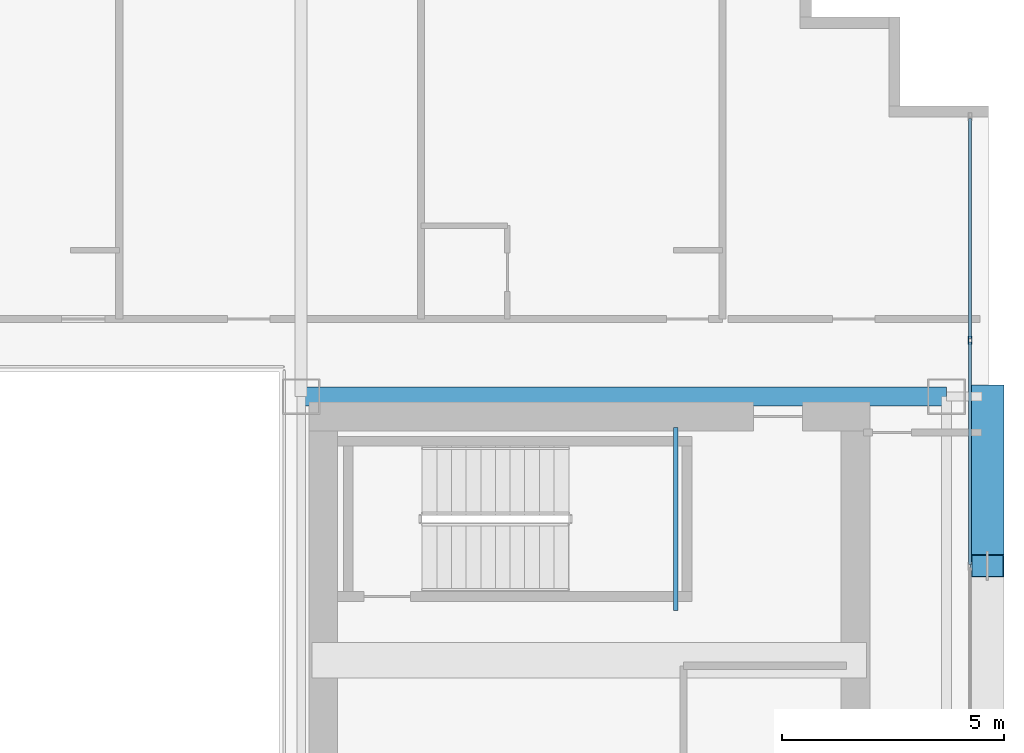
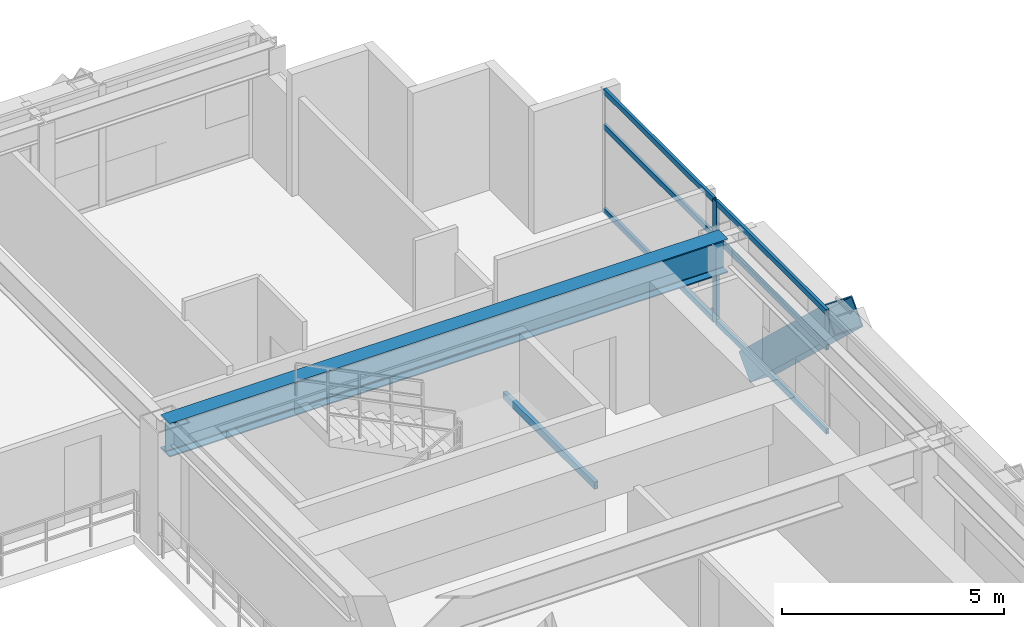
# One storey, part 20 of 34: 8 members, 2 beams, 1 element without a shape of its own.
"""IFC4 building model written with IfcOpenShell, lengths in metres."""

import ifcopenshell
import ifcopenshell.guid

model = None  # the IFC model being written
_history = None  # IfcOwnerHistory: only IFC2X3 demands one
_inside = {}  # id of a spatial element -> (the spatial element, [elements in it])
_under = {}  # id of a project, library or spatial element -> (it, [spatial elements below it])
_declared = {}  # id of a project -> (the project, [libraries it declares])
_typed = {}  # id of a type object -> (the type object, [elements of that type])
_made_of = {}  # id of a material, layer set ... -> (it, [elements and type objects made of it])


def new_model(schema):
    """Start an empty IFC model of exactly this schema.

    Asked for "IFC4X3", IfcOpenShell would pick the latest addendum, in which some entities
    have other attributes; the version numbers below select the first issue.
    IFC2X3 requires an IfcOwnerHistory on every rooted entity: one is made here for all.
    """
    global model, _history
    if schema == "IFC4X3":
        model = ifcopenshell.file(schema_version=(4, 3, 0, 0))
    else:
        model = ifcopenshell.file(schema=schema)
    _inside.clear()
    _under.clear()
    _declared.clear()
    _typed.clear()
    _made_of.clear()
    _history = None
    if model.schema == "IFC2X3":
        org = make("IfcOrganization", Name="unknown")
        user = make(
            "IfcPersonAndOrganization",
            ThePerson=make("IfcPerson", FamilyName="unknown"),
            TheOrganization=org,
        )
        app = make(
            "IfcApplication",
            ApplicationDeveloper=org,
            Version="unknown",
            ApplicationFullName="unknown",
            ApplicationIdentifier="unknown",
        )
        _history = make(
            "IfcOwnerHistory",
            OwningUser=user,
            OwningApplication=app,
            ChangeAction="ADDED",
            CreationDate=0,
        )
    return model


def make(cls, **values):
    """One entity of the class cls with the attributes given. An attribute that is None is left unset."""
    return model.create_entity(
        cls, **{name: value for name, value in values.items() if value is not None}
    )


def rooted(cls, **values):
    """An entity with a GlobalId (a new one), such as an element, a storey or a relation."""
    return make(cls, GlobalId=ifcopenshell.guid.new(), OwnerHistory=_history, **values)


def si_unit(unit_type, name, prefix=None):
    """IfcSIUnit, for example si_unit("LENGTHUNIT", "METRE", prefix="MILLI")."""
    return make("IfcSIUnit", UnitType=unit_type, Prefix=prefix, Name=name)


def assignment(units):
    """IfcUnitAssignment: the units of a project."""
    return None if units is None else make("IfcUnitAssignment", Units=units)


def point(xyz):
    """IfcCartesianPoint."""
    return None if xyz is None else make("IfcCartesianPoint", Coordinates=xyz)


def direction(xyz):
    """IfcDirection."""
    return None if xyz is None else make("IfcDirection", DirectionRatios=xyz)


def frame(location, z_axis=None, x_axis=None):
    """IfcAxis2Placement3D, a coordinate frame: its origin and axes. An axis left out is left unset."""
    return make(
        "IfcAxis2Placement3D",
        Location=point(location),
        Axis=direction(z_axis),
        RefDirection=direction(x_axis),
    )


def frame_2d(location, x_axis=None):
    """IfcAxis2Placement2D, a coordinate frame in the plane: its origin and x axis."""
    return make(
        "IfcAxis2Placement2D", Location=point(location), RefDirection=direction(x_axis)
    )


def origin():
    """The frame at (0, 0, 0) with its axes left unset."""
    return frame((0.0, 0.0, 0.0))


def origin_2d():
    """The frame at (0, 0) in the plane with its x axis left unset."""
    return frame_2d((0.0, 0.0))


def place(relative_to, where):
    """IfcLocalPlacement: puts the frame where relative to a parent placement (None: the world)."""
    return make(
        "IfcLocalPlacement", PlacementRelTo=relative_to, RelativePlacement=where
    )


def context(
    kind, dimensions, precision=None, world=None, true_north=None, identifier=None
):
    """IfcGeometricRepresentationContext, for example the 3D "Model" context."""
    return make(
        "IfcGeometricRepresentationContext",
        ContextIdentifier=identifier,
        ContextType=kind,
        CoordinateSpaceDimension=dimensions,
        Precision=precision,
        WorldCoordinateSystem=world,
        TrueNorth=true_north,
    )


def subcontext(parent, identifier, kind, view, scale=None):
    """IfcGeometricRepresentationSubContext, for example "Body" below "Model"."""
    return make(
        "IfcGeometricRepresentationSubContext",
        ContextIdentifier=identifier,
        ContextType=kind,
        ParentContext=parent,
        TargetScale=scale,
        TargetView=view,
    )


def project(units=None, contexts=None):
    """IfcProject with its units and contexts."""
    return rooted(
        "IfcProject",
        Name="project",
        RepresentationContexts=contexts,
        UnitsInContext=assignment(units),
    )


def spatial(cls, under=None, at=None, **own):
    """A site, building, storey or space (cls), placed at a placement, below another one or the project."""
    s = rooted(cls, ObjectPlacement=at, **own)
    if under is not None:
        _under.setdefault(under.id(), (under, []))[1].append(s)
    return s


def profile(cls, at=None, kind="AREA", **sizes):
    """A parametric profile (cls). Its sizes go by their IFC names, for example OverallWidth=200.0."""
    return make(cls, ProfileType=kind, Position=at, **sizes)


def hollow_rectangle(**sizes):
    """IfcRectangleHollowProfileDef."""
    return profile("IfcRectangleHollowProfileDef", **sizes)


def i_section(**sizes):
    """IfcIShapeProfileDef."""
    return profile("IfcIShapeProfileDef", **sizes)


def extrude(swept, where, along, depth):
    """IfcExtrudedAreaSolid: the profile swept, set in the frame where, extruded along a direction by depth."""
    return make(
        "IfcExtrudedAreaSolid",
        SweptArea=swept,
        Position=where,
        ExtrudedDirection=direction(along),
        Depth=depth,
    )


def shape(context_of_items, identifier, shape_type, items):
    """IfcShapeRepresentation: the items that make up one representation, for example the "Body"."""
    return make(
        "IfcShapeRepresentation",
        ContextOfItems=context_of_items,
        RepresentationIdentifier=identifier,
        RepresentationType=shape_type,
        Items=items,
    )


def source(mapping_origin, context_of_items, identifier, shape_type, items):
    """IfcRepresentationMap: a shape defined once, which mapped items show again and again."""
    return make(
        "IfcRepresentationMap",
        MappingOrigin=mapping_origin,
        MappedRepresentation=shape(context_of_items, identifier, shape_type, items),
    )


def transform(
    local_origin,
    x_axis=None,
    y_axis=None,
    z_axis=None,
    scale=None,
    scale2=None,
    scale3=None,
    uniform=True,
):
    """IfcCartesianTransformationOperator3D, or its non-uniform kind. x_axis, y_axis, z_axis: its Axis1, 2, 3."""
    if uniform:
        return make(
            "IfcCartesianTransformationOperator3D",
            Axis1=direction(x_axis),
            Axis2=direction(y_axis),
            LocalOrigin=point(local_origin),
            Scale=scale,
            Axis3=direction(z_axis),
        )
    return make(
        "IfcCartesianTransformationOperator3DnonUniform",
        Axis1=direction(x_axis),
        Axis2=direction(y_axis),
        LocalOrigin=point(local_origin),
        Scale=scale,
        Axis3=direction(z_axis),
        Scale2=scale2,
        Scale3=scale3,
    )


def mapped(mapping_source, mapping_target):
    """IfcMappedItem: shows the shape of a source again, moved by a transform."""
    return make(
        "IfcMappedItem", MappingSource=mapping_source, MappingTarget=mapping_target
    )


def material(Name=None, Category=None):
    """IfcMaterial."""
    return make("IfcMaterial", Name=Name, Category=Category)


def layer(
    of_material, thickness, ventilated=None, Name=None, Category=None, Priority=None
):
    """IfcMaterialLayer: one layer of a wall or slab, of a material (None: an air gap)."""
    return make(
        "IfcMaterialLayer",
        Material=of_material,
        LayerThickness=thickness,
        IsVentilated=ventilated,
        Name=Name,
        Category=Category,
        Priority=Priority,
    )


def layer_set(layers, Name=None):
    """IfcMaterialLayerSet."""
    return make("IfcMaterialLayerSet", MaterialLayers=layers, LayerSetName=Name)


def material_profile(
    of_material, cross_section, Name=None, Category=None, Priority=None
):
    """IfcMaterialProfile: a cross section and its material."""
    return make(
        "IfcMaterialProfile",
        Name=Name,
        Material=of_material,
        Profile=cross_section,
        Priority=Priority,
        Category=Category,
    )


def profile_set(profiles, Name=None, composite=None):
    """IfcMaterialProfileSet."""
    return make(
        "IfcMaterialProfileSet",
        Name=Name,
        MaterialProfiles=profiles,
        CompositeProfile=composite,
    )


def made_of(thing, what):
    """Note that an element or type object is made of a material, layer set ...; save() writes the relation."""
    if what is not None:
        _made_of.setdefault(what.id(), (what, []))[1].append(thing)
    return thing


def type_object(cls, material=None, **own):
    """A type object (cls), such as IfcWallType, which elements share."""
    return made_of(rooted(cls, **own), material)


def element(
    cls,
    number,
    at=None,
    inside=None,
    cuts=None,
    type_object=None,
    material=None,
    context=None,
    identifier="Body",
    shape_type=None,
    held_by="IfcProductDefinitionShape",
    body=None,
    shapes=None,
    **own,
):
    """One element of the class cls, such as IfcWall. Its Tag is "e" and its number.

    at: its placement. inside: the storey or other place that contains it. cuts: it is an
    opening in that element (IfcRelVoidsElement). A single representation is given by context,
    identifier, shape_type and body (its items); several are given by shapes. held_by: the class
    of the entity that holds the representations. save() writes the other relations.
    """
    e = rooted(cls, Tag="e%d" % number, ObjectPlacement=at, **own)
    if body is not None:
        shapes = [shape(context, identifier, shape_type, body)]
    if shapes is not None:
        e.Representation = make(held_by, Representations=shapes)
    if inside is not None:
        _inside.setdefault(inside.id(), (inside, []))[1].append(e)
    if cuts is not None:
        rooted(
            "IfcRelVoidsElement", RelatingBuildingElement=cuts, RelatedOpeningElement=e
        )
    if type_object is not None:
        _typed.setdefault(type_object.id(), (type_object, []))[1].append(e)
    return made_of(e, material)


def aggregate(whole, parts):
    """IfcRelAggregates: a whole, such as a stair, and the parts it consists of."""
    return rooted("IfcRelAggregates", RelatingObject=whole, RelatedObjects=parts)


def save(model, path):
    """Write the relations noted so far, then the file.

    IfcRelAggregates (storeys below a building ...), IfcRelContainedInSpatialStructure (elements
    in a storey), IfcRelDefinesByType, IfcRelAssociatesMaterial and IfcRelDeclares: one each for
    every whole, place, type object, material and project.
    """
    for whole, parts in _under.values():
        aggregate(whole, parts)
    for where, things in _inside.values():
        rooted(
            "IfcRelContainedInSpatialStructure",
            RelatedElements=things,
            RelatingStructure=where,
        )
    for kind, things in _typed.values():
        rooted("IfcRelDefinesByType", RelatedObjects=things, RelatingType=kind)
    for what, things in _made_of.values():
        rooted("IfcRelAssociatesMaterial", RelatedObjects=things, RelatingMaterial=what)
    for by, libraries in _declared.values():
        rooted("IfcRelDeclares", RelatingContext=by, RelatedDefinitions=libraries)
    model.write(path)


model = new_model("IFC4")

# Units and contexts
model_context = context("Model", 3, precision=1e-05, world=origin(), true_north=direction((0.0, 1.0)))
body_context = subcontext(model_context, "Body", "Model", "MODEL_VIEW")
ifc_project = project(units=[si_unit("LENGTHUNIT", "METRE"), si_unit("AREAUNIT", "SQUARE_METRE"), si_unit("VOLUMEUNIT", "CUBIC_METRE"), si_unit("PLANEANGLEUNIT", "RADIAN"), si_unit("MASSUNIT", "GRAM", prefix="KILO")], contexts=[model_context])

# Site, building, storey
site_placement = place(None, origin())
site = spatial("IfcSite", under=ifc_project, at=site_placement, CompositionType="ELEMENT")
building_placement = place(site_placement, origin())
building = spatial("IfcBuilding", under=site, at=building_placement, Name="Ocotamira Hotel", CompositionType="ELEMENT")
storey_placement = place(building_placement, frame((0.0, 0.0, 111.60009765625)))
storey = spatial("IfcBuildingStorey", under=building, at=storey_placement, Name="L27", CompositionType="ELEMENT", Elevation=111.60009765625)

# Beams
ifc_material_1 = material(Name="Steel ASTM A500 Grade C", Category="steel")
ifc_material_profile_1 = material_profile(ifc_material_1, hollow_rectangle(XDim=0.10009765625, YDim=0.199951171875, WallThickness=0.008056640625, at=origin_2d()), Name="HSS200X100X8")
ifc_profile_set_1 = profile_set([ifc_material_profile_1], Name="Steel ASTM A500 Grade C")
beam_type_1 = type_object("IfcBeamType", Name="BM-STLDG-HSS200", PredefinedType="BEAM", material=ifc_profile_set_1)
shared_shape_1 = source(origin(), body_context, "Body", "SweptSolid", [
    extrude(hollow_rectangle(XDim=0.10009765625, YDim=0.199951171875, WallThickness=0.008056640625, at=origin_2d()), origin(), (0.0, 0.0, 1.0), 4.1201171875),
])
beam_1_placement = place(storey_placement, frame((48.949951171875, 32.6298828125, 1.5), z_axis=(0.0, 1.0, 0.0), x_axis=(-1.0, 0.0, 0.0)))
element("IfcBeam", 1, at=beam_1_placement, inside=storey, type_object=beam_type_1, Name="L27 Stair ST-4 Landing Bearer 1", PredefinedType="BEAM", context=body_context, shape_type="MappedRepresentation", body=[
    mapped(shared_shape_1, transform((0.0, 0.0, 0.0), scale=1.0)),
])
ifc_material_2 = material(Name="Steel ASTM A992 Grade 50", Category="steel")
ifc_material_profile_2 = material_profile(ifc_material_2, i_section(OverallWidth=0.41796875, OverallDepth=0.927001953125, WebThickness=0.019287109375, FlangeThickness=0.031982421875, FilletRadius=0.02392578125, at=origin_2d()), Name="W36X231")
ifc_profile_set_2 = profile_set([ifc_material_profile_2], Name="Steel ASTM A992 Grade 50")
beam_type_2 = type_object("IfcBeamType", Name="BM-GIRD-W36X231", PredefinedType="BEAM", material=ifc_profile_set_2)
shared_shape_2 = source(origin(), body_context, "Body", "SweptSolid", [
    extrude(i_section(OverallWidth=0.41796875, OverallDepth=0.927001953125, WebThickness=0.019287109375, FlangeThickness=0.031982421875, FilletRadius=0.02392578125, at=origin_2d()), origin(), (0.0, 0.0, 1.0), 14.550048828125),
])
beam_2_placement = place(storey_placement, frame((40.5, 37.449951171875, 2.896484375), z_axis=(1.0, 0.0, 0.0), x_axis=(0.0, 1.0, 0.0)))
element("IfcBeam", 2, at=beam_2_placement, inside=storey, type_object=beam_type_2, Name="L27 Girder Y37.45 X40.5-55.05", PredefinedType="BEAM", context=body_context, shape_type="MappedRepresentation", body=[
    mapped(shared_shape_2, transform((0.0, 0.0, 0.0), scale=1.0)),
])

# Member
ifc_material_3 = material(Name="Pale-metal coated steel ASTM A913 Grade 65", Category="steel")
ifc_material_profile_3 = material_profile(ifc_material_3, hollow_rectangle(XDim=0.75, YDim=0.75, WallThickness=0.028076171875, at=origin_2d()), Name="BOX750X750X28")
ifc_profile_set_3 = profile_set([ifc_material_profile_3], Name="Pale-metal coated steel ASTM A913 Grade 65")
member_type_1 = type_object("IfcMemberType", Name="MEM-EXO-BOX750", PredefinedType="BRACE", material=ifc_profile_set_3)
shared_shape_3 = source(origin(), body_context, "Body", "SweptSolid", [
    extrude(hollow_rectangle(XDim=0.75, YDim=0.75, WallThickness=0.028076171875, at=origin_2d()), origin(), (0.0, 0.0, 1.0), 5.24658203125),
])
member_1_placement = place(storey_placement, frame((55.969970703125, 37.449951171875, -0.489990234375), z_axis=(0.0, -0.72746596067, 0.686143772154), x_axis=(1.0, 0.0, 0.0)))
element("IfcMember", 3, at=member_1_placement, inside=storey, type_object=member_type_1, Name="L27 Exoskeleton Diagrid E2.2", PredefinedType="BRACE", context=body_context, shape_type="MappedRepresentation", body=[
    mapped(shared_shape_3, transform((0.0, 0.0, 0.0), scale=1.0)),
])

# Curtain wall, members
ifc_material_4 = material(Name="Anodised pale-metal aluminium and solar glass", Category="aluminium")
ifc_layer = layer(ifc_material_4, 0.179931640625)
ifc_layer_set = layer_set([ifc_layer], Name="Anodised pale-metal aluminium and solar glass")
curtain_wall_type = type_object("IfcCurtainWallType", Name="CW-SYS3-Z2", PredefinedType="NOTDEFINED", material=ifc_layer_set)
curtain_wall_placement = place(storey_placement, origin())
curtain_wall = element("IfcCurtainWall", 4, at=curtain_wall_placement, inside=storey, type_object=curtain_wall_type, Name="L27 Curtain Wall CW-3 CW-L27-E", PredefinedType="NOTDEFINED")
ifc_material_5 = material(Name="Anodised pale-metal aluminium 6063-T6", Category="aluminium")
ifc_material_profile_4 = material_profile(ifc_material_5, hollow_rectangle(XDim=0.074951171875, YDim=0.14990234375, WallThickness=0.006103515625, at=origin_2d()), Name="HSS150X75X6")
ifc_profile_set_4 = profile_set([ifc_material_profile_4], Name="Anodised pale-metal aluminium 6063-T6")
member_type_2 = type_object("IfcMemberType", Name="CWT-150X75", PredefinedType="USERDEFINED", material=ifc_profile_set_4)
shared_shape_4 = source(origin(), body_context, "Body", "SweptSolid", [
    extrude(hollow_rectangle(XDim=0.074951171875, YDim=0.14990234375, WallThickness=0.006103515625, at=origin_2d()), origin(), (0.0, 0.0, 1.0), 4.965576171875),
])
member_2_placement = place(storey_placement, frame((55.580078125, 38.75439453125, 0.037353515625), z_axis=(0.0, 1.0, 0.0), x_axis=(-1.0, 0.0, 0.0)))
member_2 = element("IfcMember", 5, at=member_2_placement, type_object=member_type_2, Name="CW-3 transom 7.1", ObjectType="TRANSOM", PredefinedType="USERDEFINED", context=body_context, shape_type="MappedRepresentation", body=[
    mapped(shared_shape_4, transform((0.0, 0.0, 0.0), scale=1.0)),
])
member_3_placement = place(storey_placement, frame((55.580078125, 38.75439453125, 2.349853515625), z_axis=(0.0, 1.0, 0.0), x_axis=(-1.0, 0.0, 0.0)))
member_3 = element("IfcMember", 6, at=member_3_placement, type_object=member_type_2, Name="CW-3 transom 7.2", ObjectType="TRANSOM", PredefinedType="USERDEFINED", context=body_context, shape_type="MappedRepresentation", body=[
    mapped(shared_shape_4, transform((0.0, 0.0, 0.0), scale=1.0)),
])
member_4_placement = place(storey_placement, frame((55.580078125, 38.75439453125, 3.322509765625), z_axis=(0.0, 1.0, 0.0), x_axis=(-1.0, 0.0, 0.0)))
member_4 = element("IfcMember", 7, at=member_4_placement, type_object=member_type_2, Name="CW-3 transom 7.3", ObjectType="TRANSOM", PredefinedType="USERDEFINED", context=body_context, shape_type="MappedRepresentation", body=[
    mapped(shared_shape_4, transform((0.0, 0.0, 0.0), scale=1.0)),
])
shared_shape_5 = source(origin(), body_context, "Body", "SweptSolid", [
    extrude(hollow_rectangle(XDim=0.074951171875, YDim=0.14990234375, WallThickness=0.006103515625, at=origin_2d()), origin(), (0.0, 0.0, 1.0), 5.005859375),
])
member_5_placement = place(storey_placement, frame((55.580078125, 33.66845703125, 0.037353515625), z_axis=(0.0, 1.0, 0.0), x_axis=(-1.0, 0.0, 0.0)))
member_5 = element("IfcMember", 8, at=member_5_placement, type_object=member_type_2, Name="CW-3 transom 6.1", ObjectType="TRANSOM", PredefinedType="USERDEFINED", context=body_context, shape_type="MappedRepresentation", body=[
    mapped(shared_shape_5, transform((0.0, 0.0, 0.0), scale=1.0)),
])
member_6_placement = place(storey_placement, frame((55.580078125, 33.66845703125, 2.349853515625), z_axis=(0.0, 1.0, 0.0), x_axis=(-1.0, 0.0, 0.0)))
member_6 = element("IfcMember", 9, at=member_6_placement, type_object=member_type_2, Name="CW-3 transom 6.2", ObjectType="TRANSOM", PredefinedType="USERDEFINED", context=body_context, shape_type="MappedRepresentation", body=[
    mapped(shared_shape_5, transform((0.0, 0.0, 0.0), scale=1.0)),
])
member_7_placement = place(storey_placement, frame((55.580078125, 33.66845703125, 3.322509765625), z_axis=(0.0, 1.0, 0.0), x_axis=(-1.0, 0.0, 0.0)))
member_7 = element("IfcMember", 10, at=member_7_placement, type_object=member_type_2, Name="CW-3 transom 6.3", ObjectType="TRANSOM", PredefinedType="USERDEFINED", context=body_context, shape_type="MappedRepresentation", body=[
    mapped(shared_shape_5, transform((0.0, 0.0, 0.0), scale=1.0)),
])
ifc_material_profile_5 = material_profile(ifc_material_5, hollow_rectangle(XDim=0.080078125, YDim=0.179931640625, WallThickness=0.006103515625, at=origin_2d()), Name="HSS180X80X6")
ifc_profile_set_5 = profile_set([ifc_material_profile_5], Name="Anodised pale-metal aluminium 6063-T6")
member_type_3 = type_object("IfcMemberType", Name="CWM-180X75", PredefinedType="MULLION", material=ifc_profile_set_5)
shared_shape_6 = source(origin(), body_context, "Body", "SweptSolid", [
    extrude(hollow_rectangle(XDim=0.080078125, YDim=0.179931640625, WallThickness=0.006103515625, at=origin_2d()), origin(), (0.0, 0.0, 1.0), 3.35986328125),
])
member_8_placement = place(storey_placement, frame((55.580078125, 38.71435546875, 0.0), z_axis=(0.0, 0.0, 1.0), x_axis=(-1.0, 0.0, 0.0)))
member_8 = element("IfcMember", 11, at=member_8_placement, type_object=member_type_3, Name="CW-3 mullion 7", PredefinedType="MULLION", context=body_context, shape_type="MappedRepresentation", body=[
    mapped(shared_shape_6, transform((0.0, 0.0, 0.0), scale=1.0)),
])
aggregate(curtain_wall, [member_8, member_5, member_6, member_7, member_2, member_3, member_4])

save(model, "model.ifc")
